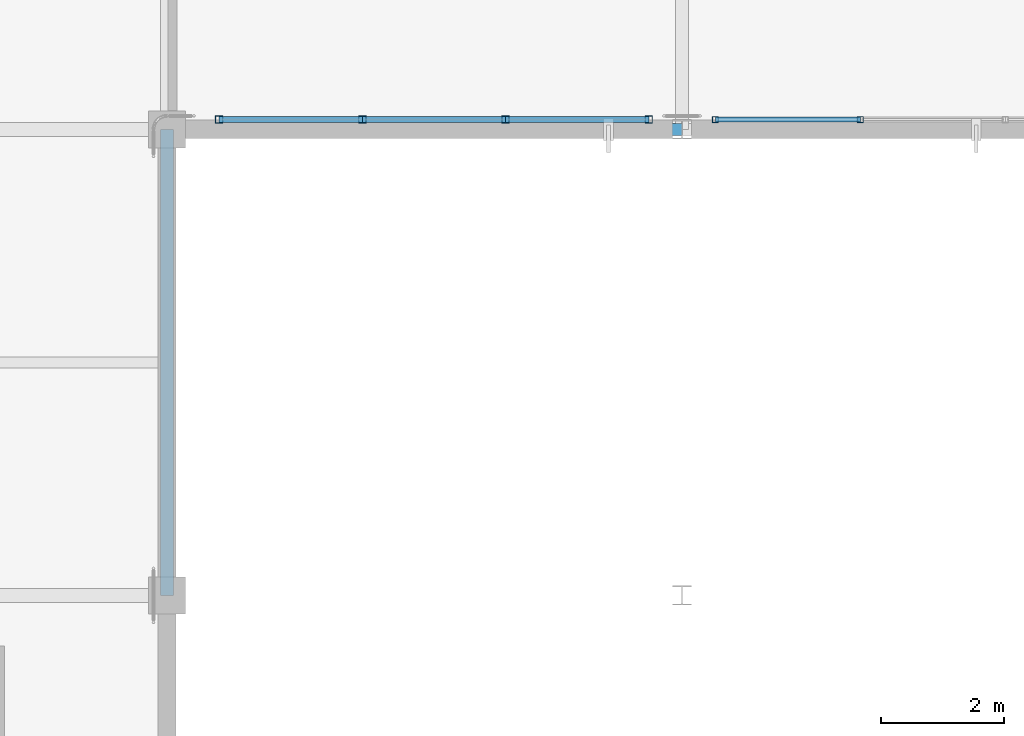
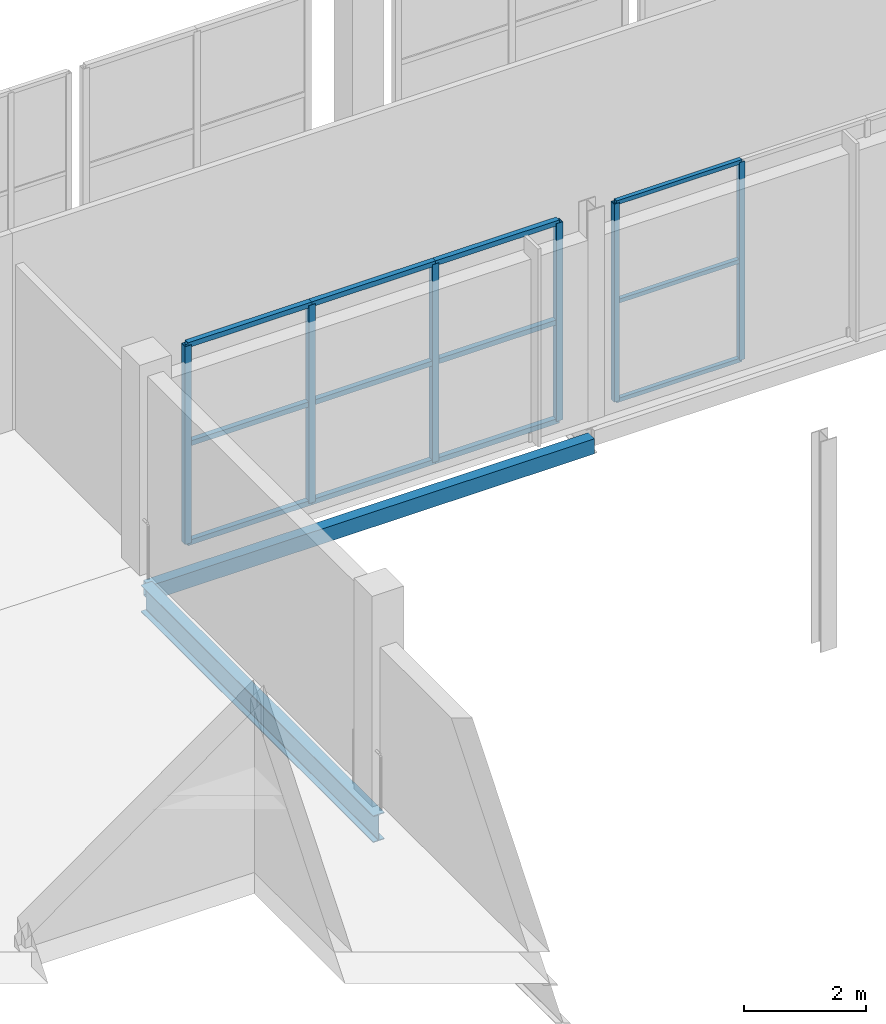
# One storey, part 42 of 217: 18 members, 2 beams, 2 elements without a shape of their own.
"""IFC4 building model written with IfcOpenShell, lengths in metres."""

from ifc_helpers import new_model, si_unit, direction, frame, origin, origin_2d, place, context, subcontext, project, spatial, hollow_rectangle, i_section, extrude, material, material_profile, profile_set, type_object, element, aggregate, save


model = new_model("IFC4")

# Units and contexts
model_context = context("Model", 3, precision=1e-05, world=origin(), true_north=direction((0.0, 1.0)))
body_context = subcontext(model_context, "Body", "Model", "MODEL_VIEW")
ifc_project = project(units=[si_unit("LENGTHUNIT", "METRE"), si_unit("AREAUNIT", "SQUARE_METRE"), si_unit("VOLUMEUNIT", "CUBIC_METRE"), si_unit("PLANEANGLEUNIT", "RADIAN"), si_unit("MASSUNIT", "GRAM", prefix="KILO")], contexts=[model_context])

# Site, building, storey
site_placement = place(None, origin())
site = spatial("IfcSite", under=ifc_project, at=site_placement, CompositionType="ELEMENT")
building_placement = place(site_placement, origin())
building = spatial("IfcBuilding", under=site, at=building_placement, Name="Zuvorla Pavilion Media Centre", CompositionType="ELEMENT")
storey_placement = place(building_placement, frame((0.0, 0.0, 9.60009765625)))
storey = spatial("IfcBuildingStorey", under=building, at=storey_placement, Name="L02", CompositionType="ELEMENT", Elevation=9.60009765625)

# Beams
ifc_material_1 = material(Name="Steel S355", Category="steel")
ifc_material_profile_1 = material_profile(ifc_material_1, hollow_rectangle(XDim=0.199951171875, YDim=0.300048828125, WallThickness=0.012451171875, at=origin_2d()), Name="RHS 300x200x12.5")
ifc_profile_set_1 = profile_set([ifc_material_profile_1], Name="Steel S355")
beam_type_1 = type_object("IfcBeamType", Name="BM-SP-RHS300", PredefinedType="SPANDREL", material=ifc_profile_set_1)
beam_1_placement = place(storey_placement, frame((108.800048828125, 44.0, -0.578125), z_axis=(1.0, 0.0, 0.0), x_axis=(0.0, 1.0, 0.0)))
element("IfcBeam", 1, at=beam_1_placement, inside=storey, type_object=beam_type_1, Name="L02 spandrel SP01 829", PredefinedType="SPANDREL", context=body_context, shape_type="SweptSolid", body=[
    extrude(hollow_rectangle(XDim=0.199951171875, YDim=0.300048828125, WallThickness=0.012451171875, at=origin_2d()), origin(), (0.0, 0.0, 1.0), 8.39990234375),
])
ifc_material_profile_2 = material_profile(ifc_material_1, i_section(OverallWidth=0.2099609375, OverallDepth=0.53662109375, WebThickness=0.0107421875, FlangeThickness=0.017333984375, FilletRadius=0.0126953125, at=origin_2d()), Name="UB 533x210x101")
ifc_profile_set_2 = profile_set([ifc_material_profile_2], Name="Steel S355")
beam_type_2 = type_object("IfcBeamType", Name="BM-UB533", PredefinedType="BEAM", material=ifc_profile_set_2)
beam_2_placement = place(storey_placement, frame((108.800048828125, 36.39990234375, -0.6962890625), z_axis=(0.0, 1.0, 0.0), x_axis=(-1.0, 0.0, 0.0)))
element("IfcBeam", 2, at=beam_2_placement, inside=storey, type_object=beam_type_2, Name="L02 beam B08 958", PredefinedType="BEAM", context=body_context, shape_type="SweptSolid", body=[
    extrude(i_section(OverallWidth=0.2099609375, OverallDepth=0.53662109375, WebThickness=0.0107421875, FlangeThickness=0.017333984375, FilletRadius=0.0126953125, at=origin_2d()), origin(), (0.0, 0.0, 1.0), 7.60009765625),
])

# Curtain wall, members
ifc_material_2 = material(Name="Unitised anodised aluminium and solar glass curtain wall", Category="aluminium")
curtain_wall_type_1 = type_object("IfcCurtainWallType", Name="CW-SYS-25", PredefinedType="USERDEFINED", material=ifc_material_2)
curtain_wall_1_placement = place(storey_placement, origin())
curtain_wall_1 = element("IfcCurtainWall", 3, at=curtain_wall_1_placement, inside=storey, type_object=curtain_wall_type_1, Name="L02 curtain wall CW25 44", ObjectType="CURTAIN WALL", PredefinedType="USERDEFINED")
ifc_material_3 = material(Name="Anodised aluminium 6063-T6", Category="aluminium")
ifc_material_profile_3 = material_profile(ifc_material_3, hollow_rectangle(XDim=0.10009765625, YDim=0.10009765625, WallThickness=0.00439453125, at=origin_2d()), Name="ALU MULL 100x100")
ifc_profile_set_3 = profile_set([ifc_material_profile_3], Name="Anodised aluminium 6063-T6")
member_type_1 = type_object("IfcMemberType", Name="CW-MULL-100", PredefinedType="MULLION", material=ifc_profile_set_3)
member_1_placement = place(storey_placement, frame((117.74267578125, 44.159912109375, 0.0), z_axis=(0.0, 0.0, 1.0), x_axis=(1.0, 0.0, 0.0)))
member_1 = element("IfcMember", 4, at=member_1_placement, type_object=member_type_1, Name="CW25 mullion 1", PredefinedType="MULLION", context=body_context, shape_type="SweptSolid", body=[
    extrude(hollow_rectangle(XDim=0.10009765625, YDim=0.10009765625, WallThickness=0.00439453125, at=origin_2d()), origin(), (0.0, 0.0, 1.0), 3.949951171875),
])
member_2_placement = place(storey_placement, frame((120.1083984375, 44.159912109375, 0.0), z_axis=(0.0, 0.0, 1.0), x_axis=(1.0, 0.0, 0.0)))
member_2 = element("IfcMember", 5, at=member_2_placement, type_object=member_type_1, Name="CW25 mullion 2", PredefinedType="MULLION", context=body_context, shape_type="SweptSolid", body=[
    extrude(hollow_rectangle(XDim=0.10009765625, YDim=0.10009765625, WallThickness=0.00439453125, at=origin_2d()), origin(), (0.0, 0.0, 1.0), 3.949951171875),
])

curtain_wall_type_2 = type_object("IfcCurtainWallType", Name="CW-SYS-24", PredefinedType="USERDEFINED", material=ifc_material_2)
curtain_wall_2_placement = place(storey_placement, origin())
curtain_wall_2 = element("IfcCurtainWall", 6, at=curtain_wall_2_placement, inside=storey, type_object=curtain_wall_type_2, Name="L02 curtain wall CW24 43", ObjectType="CURTAIN WALL", PredefinedType="USERDEFINED")
ifc_material_profile_4 = material_profile(ifc_material_3, hollow_rectangle(XDim=0.1201171875, YDim=0.1201171875, WallThickness=0.0048828125, at=origin_2d()), Name="ALU MULL 120x120")
ifc_profile_set_4 = profile_set([ifc_material_profile_4], Name="Anodised aluminium 6063-T6")
member_type_2 = type_object("IfcMemberType", Name="CW-MULL-120", PredefinedType="MULLION", material=ifc_profile_set_4)
member_3_placement = place(storey_placement, frame((109.650390625, 44.159912109375, 0.0), z_axis=(0.0, 0.0, 1.0), x_axis=(1.0, 0.0, 0.0)))
member_3 = element("IfcMember", 7, at=member_3_placement, type_object=member_type_2, Name="CW24 mullion 1", PredefinedType="MULLION", context=body_context, shape_type="SweptSolid", body=[
    extrude(hollow_rectangle(XDim=0.1201171875, YDim=0.1201171875, WallThickness=0.0048828125, at=origin_2d()), origin(), (0.0, 0.0, 1.0), 3.949951171875),
])
member_4_placement = place(storey_placement, frame((111.986083984375, 44.159912109375, 0.0), z_axis=(0.0, 0.0, 1.0), x_axis=(1.0, 0.0, 0.0)))
member_4 = element("IfcMember", 8, at=member_4_placement, type_object=member_type_2, Name="CW24 mullion 2", PredefinedType="MULLION", context=body_context, shape_type="SweptSolid", body=[
    extrude(hollow_rectangle(XDim=0.1201171875, YDim=0.1201171875, WallThickness=0.0048828125, at=origin_2d()), origin(), (0.0, 0.0, 1.0), 3.949951171875),
])
member_5_placement = place(storey_placement, frame((114.321533203125, 44.159912109375, 0.0), z_axis=(0.0, 0.0, 1.0), x_axis=(1.0, 0.0, 0.0)))
member_5 = element("IfcMember", 9, at=member_5_placement, type_object=member_type_2, Name="CW24 mullion 3", PredefinedType="MULLION", context=body_context, shape_type="SweptSolid", body=[
    extrude(hollow_rectangle(XDim=0.1201171875, YDim=0.1201171875, WallThickness=0.0048828125, at=origin_2d()), origin(), (0.0, 0.0, 1.0), 3.949951171875),
])
member_6_placement = place(storey_placement, frame((116.6572265625, 44.159912109375, 0.0), z_axis=(0.0, 0.0, 1.0), x_axis=(1.0, 0.0, 0.0)))
member_6 = element("IfcMember", 10, at=member_6_placement, type_object=member_type_2, Name="CW24 mullion 4", PredefinedType="MULLION", context=body_context, shape_type="SweptSolid", body=[
    extrude(hollow_rectangle(XDim=0.1201171875, YDim=0.1201171875, WallThickness=0.0048828125, at=origin_2d()), origin(), (0.0, 0.0, 1.0), 3.949951171875),
])
ifc_material_profile_5 = material_profile(ifc_material_3, hollow_rectangle(XDim=0.10009765625, YDim=0.10009765625, WallThickness=0.00439453125, at=origin_2d()), Name="ALU TRAN 100x100")
ifc_profile_set_5 = profile_set([ifc_material_profile_5], Name="Anodised aluminium 6063-T6")
member_type_3 = type_object("IfcMemberType", Name="CW-TRAN-100", PredefinedType="USERDEFINED", material=ifc_profile_set_5)
member_7_placement = place(storey_placement, frame((109.650390625, 44.159912109375, 0.0), z_axis=(1.0, 0.0, 0.0), x_axis=(0.0, 1.0, 0.0)))
member_7 = element("IfcMember", 11, at=member_7_placement, type_object=member_type_3, Name="CW24 transom 1.1", ObjectType="TRANSOM", PredefinedType="USERDEFINED", context=body_context, shape_type="SweptSolid", body=[
    extrude(hollow_rectangle(XDim=0.10009765625, YDim=0.10009765625, WallThickness=0.00439453125, at=origin_2d()), origin(), (0.0, 0.0, 1.0), 2.335693359375),
])
member_8_placement = place(storey_placement, frame((109.650390625, 44.159912109375, 1.974853515625), z_axis=(1.0, 0.0, 0.0), x_axis=(0.0, 1.0, 0.0)))
member_8 = element("IfcMember", 12, at=member_8_placement, type_object=member_type_3, Name="CW24 transom 1.2", ObjectType="TRANSOM", PredefinedType="USERDEFINED", context=body_context, shape_type="SweptSolid", body=[
    extrude(hollow_rectangle(XDim=0.10009765625, YDim=0.10009765625, WallThickness=0.00439453125, at=origin_2d()), origin(), (0.0, 0.0, 1.0), 2.335693359375),
])
member_9_placement = place(storey_placement, frame((109.650390625, 44.159912109375, 3.949951171875), z_axis=(1.0, 0.0, 0.0), x_axis=(0.0, 1.0, 0.0)))
member_9 = element("IfcMember", 13, at=member_9_placement, type_object=member_type_3, Name="CW24 transom 1.3", ObjectType="TRANSOM", PredefinedType="USERDEFINED", context=body_context, shape_type="SweptSolid", body=[
    extrude(hollow_rectangle(XDim=0.10009765625, YDim=0.10009765625, WallThickness=0.00439453125, at=origin_2d()), origin(), (0.0, 0.0, 1.0), 2.335693359375),
])
member_10_placement = place(storey_placement, frame((111.986083984375, 44.159912109375, 0.0), z_axis=(1.0, 0.0, 0.0), x_axis=(0.0, 1.0, 0.0)))
member_10 = element("IfcMember", 14, at=member_10_placement, type_object=member_type_3, Name="CW24 transom 2.1", ObjectType="TRANSOM", PredefinedType="USERDEFINED", context=body_context, shape_type="SweptSolid", body=[
    extrude(hollow_rectangle(XDim=0.10009765625, YDim=0.10009765625, WallThickness=0.00439453125, at=origin_2d()), origin(), (0.0, 0.0, 1.0), 2.33544921875),
])
member_11_placement = place(storey_placement, frame((111.986083984375, 44.159912109375, 1.974853515625), z_axis=(1.0, 0.0, 0.0), x_axis=(0.0, 1.0, 0.0)))
member_11 = element("IfcMember", 15, at=member_11_placement, type_object=member_type_3, Name="CW24 transom 2.2", ObjectType="TRANSOM", PredefinedType="USERDEFINED", context=body_context, shape_type="SweptSolid", body=[
    extrude(hollow_rectangle(XDim=0.10009765625, YDim=0.10009765625, WallThickness=0.00439453125, at=origin_2d()), origin(), (0.0, 0.0, 1.0), 2.33544921875),
])
member_12_placement = place(storey_placement, frame((111.986083984375, 44.159912109375, 3.949951171875), z_axis=(1.0, 0.0, 0.0), x_axis=(0.0, 1.0, 0.0)))
member_12 = element("IfcMember", 16, at=member_12_placement, type_object=member_type_3, Name="CW24 transom 2.3", ObjectType="TRANSOM", PredefinedType="USERDEFINED", context=body_context, shape_type="SweptSolid", body=[
    extrude(hollow_rectangle(XDim=0.10009765625, YDim=0.10009765625, WallThickness=0.00439453125, at=origin_2d()), origin(), (0.0, 0.0, 1.0), 2.33544921875),
])
member_13_placement = place(storey_placement, frame((114.321533203125, 44.159912109375, 0.0), z_axis=(1.0, 0.0, 0.0), x_axis=(0.0, 1.0, 0.0)))
member_13 = element("IfcMember", 17, at=member_13_placement, type_object=member_type_3, Name="CW24 transom 3.1", ObjectType="TRANSOM", PredefinedType="USERDEFINED", context=body_context, shape_type="SweptSolid", body=[
    extrude(hollow_rectangle(XDim=0.10009765625, YDim=0.10009765625, WallThickness=0.00439453125, at=origin_2d()), origin(), (0.0, 0.0, 1.0), 2.335693359375),
])
member_14_placement = place(storey_placement, frame((114.321533203125, 44.159912109375, 1.974853515625), z_axis=(1.0, 0.0, 0.0), x_axis=(0.0, 1.0, 0.0)))
member_14 = element("IfcMember", 18, at=member_14_placement, type_object=member_type_3, Name="CW24 transom 3.2", ObjectType="TRANSOM", PredefinedType="USERDEFINED", context=body_context, shape_type="SweptSolid", body=[
    extrude(hollow_rectangle(XDim=0.10009765625, YDim=0.10009765625, WallThickness=0.00439453125, at=origin_2d()), origin(), (0.0, 0.0, 1.0), 2.335693359375),
])
member_15_placement = place(storey_placement, frame((114.321533203125, 44.159912109375, 3.949951171875), z_axis=(1.0, 0.0, 0.0), x_axis=(0.0, 1.0, 0.0)))
member_15 = element("IfcMember", 19, at=member_15_placement, type_object=member_type_3, Name="CW24 transom 3.3", ObjectType="TRANSOM", PredefinedType="USERDEFINED", context=body_context, shape_type="SweptSolid", body=[
    extrude(hollow_rectangle(XDim=0.10009765625, YDim=0.10009765625, WallThickness=0.00439453125, at=origin_2d()), origin(), (0.0, 0.0, 1.0), 2.335693359375),
])
aggregate(curtain_wall_2, [member_3, member_4, member_5, member_6, member_7, member_8, member_9, member_10, member_11, member_12, member_13, member_14, member_15])

# Member
ifc_material_profile_6 = material_profile(ifc_material_3, hollow_rectangle(XDim=0.080078125, YDim=0.080078125, WallThickness=0.00390625, at=origin_2d()), Name="ALU TRAN 80x80")
ifc_profile_set_6 = profile_set([ifc_material_profile_6], Name="Anodised aluminium 6063-T6")
member_type_4 = type_object("IfcMemberType", Name="CW-TRAN-80", PredefinedType="USERDEFINED", material=ifc_profile_set_6)
member_16_placement = place(storey_placement, frame((117.74267578125, 44.159912109375, 0.0), z_axis=(1.0, 0.0, 0.0), x_axis=(0.0, 1.0, 0.0)))
member_16 = element("IfcMember", 20, at=member_16_placement, type_object=member_type_4, Name="CW25 transom 1.1", ObjectType="TRANSOM", PredefinedType="USERDEFINED", context=body_context, shape_type="SweptSolid", body=[
    extrude(hollow_rectangle(XDim=0.080078125, YDim=0.080078125, WallThickness=0.00390625, at=origin_2d()), origin(), (0.0, 0.0, 1.0), 2.36572265625),
])

member_17_placement = place(storey_placement, frame((117.74267578125, 44.159912109375, 1.974853515625), z_axis=(1.0, 0.0, 0.0), x_axis=(0.0, 1.0, 0.0)))
member_17 = element("IfcMember", 21, at=member_17_placement, type_object=member_type_4, Name="CW25 transom 1.2", ObjectType="TRANSOM", PredefinedType="USERDEFINED", context=body_context, shape_type="SweptSolid", body=[
    extrude(hollow_rectangle(XDim=0.080078125, YDim=0.080078125, WallThickness=0.00390625, at=origin_2d()), origin(), (0.0, 0.0, 1.0), 2.36572265625),
])

member_18_placement = place(storey_placement, frame((117.74267578125, 44.159912109375, 3.949951171875), z_axis=(1.0, 0.0, 0.0), x_axis=(0.0, 1.0, 0.0)))
member_18 = element("IfcMember", 22, at=member_18_placement, type_object=member_type_4, Name="CW25 transom 1.3", ObjectType="TRANSOM", PredefinedType="USERDEFINED", context=body_context, shape_type="SweptSolid", body=[
    extrude(hollow_rectangle(XDim=0.080078125, YDim=0.080078125, WallThickness=0.00390625, at=origin_2d()), origin(), (0.0, 0.0, 1.0), 2.36572265625),
])

aggregate(curtain_wall_1, [member_1, member_2, member_16, member_17, member_18])

save(model, "model.ifc")
